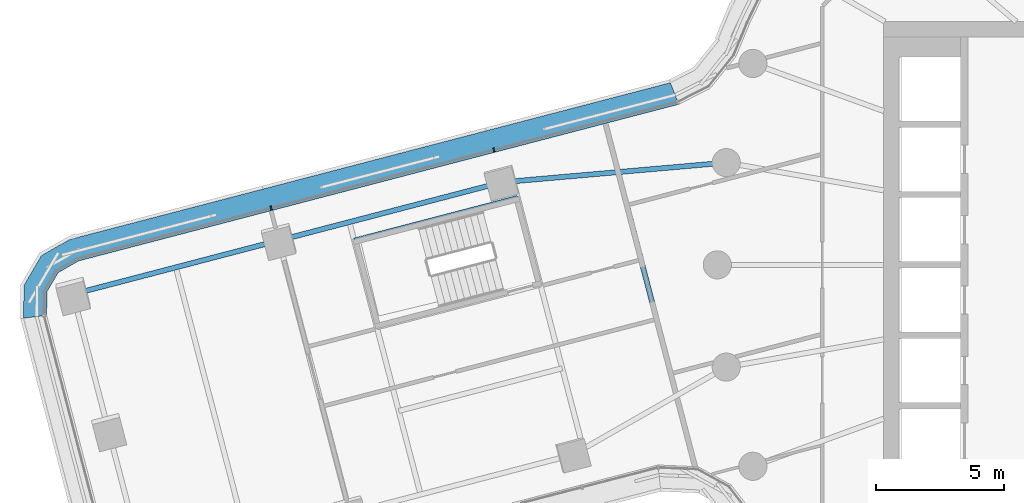
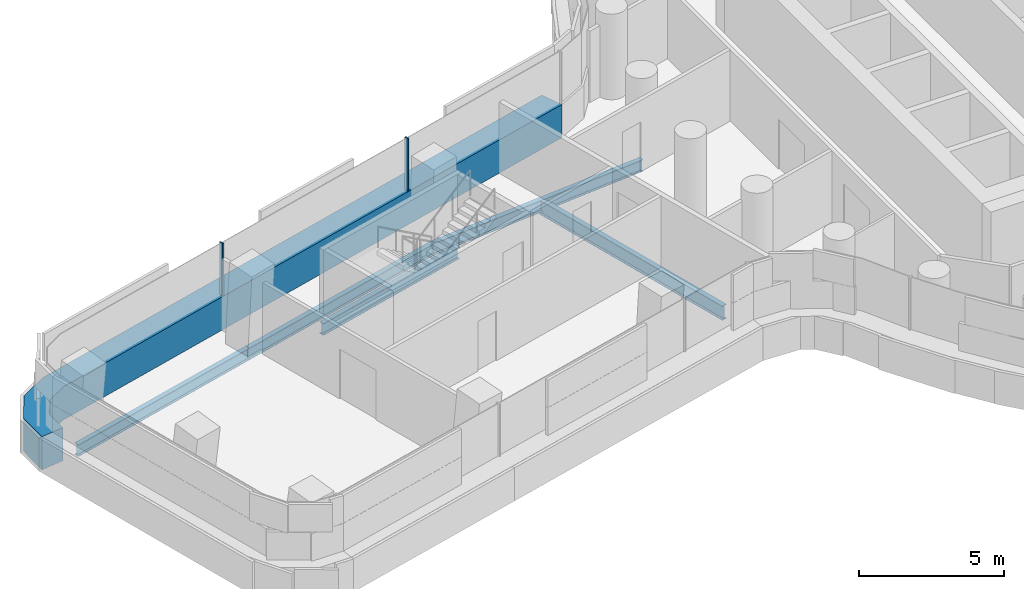
# One storey, part 6 of 30: 5 beams, 3 members, 1 element without a shape of its own.
"""IFC4 building model written with IfcOpenShell, lengths in metres."""

from ifc_helpers import new_model, si_unit, direction, frame, origin, origin_2d, place, context, subcontext, project, spatial, polyline, rectangle, i_section, outline, extrude, material, layer, layer_set, material_profile, profile_set, type_object, element, aggregate, save


model = new_model("IFC4")

# Units and contexts
model_context = context("Model", 3, precision=1e-05, world=origin(), true_north=direction((0.0, 1.0)))
body_context = subcontext(model_context, "Body", "Model", "MODEL_VIEW")
ifc_project = project(units=[si_unit("LENGTHUNIT", "METRE"), si_unit("AREAUNIT", "SQUARE_METRE"), si_unit("VOLUMEUNIT", "CUBIC_METRE"), si_unit("PLANEANGLEUNIT", "RADIAN"), si_unit("MASSUNIT", "GRAM", prefix="KILO")], contexts=[model_context])

# Site, building, storey
site_placement = place(None, origin())
site = spatial("IfcSite", under=ifc_project, at=site_placement, CompositionType="ELEMENT")
building_placement = place(site_placement, origin())
building = spatial("IfcBuilding", under=site, at=building_placement, Name="Tamarind Cross Interchange Tower", CompositionType="ELEMENT")
storey_placement = place(building_placement, frame((0.0, 0.0, 87.25)))
storey = spatial("IfcBuildingStorey", under=building, at=storey_placement, Name="L20", CompositionType="ELEMENT", Elevation=87.25)

# Beams
ifc_material_1 = material(Name="Steel Q355B", Category="steel")
ifc_material_profile_1 = material_profile(ifc_material_1, i_section(OverallWidth=0.198974609375, OverallDepth=0.49609375, WebThickness=0.009033203125, FlangeThickness=0.013916015625, FilletRadius=0.012939453125, at=origin_2d()), Name="HN 496x199x9x14")
ifc_profile_set_1 = profile_set([ifc_material_profile_1], Name="Steel Q355B")
beam_type_1 = type_object("IfcBeamType", Name="Composite beam HN 496x199x9x14 Q355B", PredefinedType="BEAM", material=ifc_profile_set_1)
beam_1_placement = place(storey_placement, frame((-48.169677734375, -1.145751953125, -0.387939453125), z_axis=(0.967592310921, 0.252517563443, 0.0), x_axis=(-0.252517563443, 0.967592310921, 0.0)))
element("IfcBeam", 1, at=beam_1_placement, inside=storey, type_object=beam_type_1, Name="Beam W-edgeem5", PredefinedType="BEAM", context=body_context, shape_type="SweptSolid", body=[
    extrude(i_section(OverallWidth=0.198974609375, OverallDepth=0.49609375, WebThickness=0.009033203125, FlangeThickness=0.013916015625, FilletRadius=0.012939453125, at=origin_2d()), origin(), (0.0, 0.0, 1.0), 8.310791015625),
])
beam_2_placement = place(storey_placement, frame((-40.128173828125, 0.952880859375, -0.387939453125), z_axis=(0.96758384761, 0.252549990783, 0.0), x_axis=(-0.252549990783, 0.96758384761, 0.0)))
element("IfcBeam", 2, at=beam_2_placement, inside=storey, type_object=beam_type_1, Name="Beam W-edgeem6", PredefinedType="BEAM", context=body_context, shape_type="SweptSolid", body=[
    extrude(i_section(OverallWidth=0.198974609375, OverallDepth=0.49609375, WebThickness=0.009033203125, FlangeThickness=0.013916015625, FilletRadius=0.012939453125, at=origin_2d()), origin(), (0.0, 0.0, 1.0), 9.0),
])
beam_3_placement = place(storey_placement, frame((-31.419921875, 3.225830078125, -0.387939453125), z_axis=(0.996186278222, 0.08725192882, 0.0), x_axis=(-0.08725192882, 0.996186278222, 0.0)))
element("IfcBeam", 3, at=beam_3_placement, inside=storey, type_object=beam_type_1, Name="Beam W-linkem", PredefinedType="BEAM", context=body_context, shape_type="SweptSolid", body=[
    extrude(i_section(OverallWidth=0.198974609375, OverallDepth=0.49609375, WebThickness=0.009033203125, FlangeThickness=0.013916015625, FilletRadius=0.012939453125, at=origin_2d()), origin(), (0.0, 0.0, 1.0), 8.802978515625),
])
beam_4_placement = place(storey_placement, frame((-30.795166015625, 2.61376953125, -0.387939453125), z_axis=(-0.967586231521, -0.252540857231, 0.0), x_axis=(0.252540857231, -0.967586231521, 0.0)))
element("IfcBeam", 4, at=beam_4_placement, inside=storey, type_object=beam_type_1, Name="Beam W-tr0", PredefinedType="BEAM", context=body_context, shape_type="SweptSolid", body=[
    extrude(i_section(OverallWidth=0.198974609375, OverallDepth=0.49609375, WebThickness=0.009033203125, FlangeThickness=0.013916015625, FilletRadius=0.012939453125, at=origin_2d()), origin(), (0.0, 0.0, 1.0), 6.599853515625),
])
ifc_material_profile_2 = material_profile(ifc_material_1, i_section(OverallWidth=0.199951171875, OverallDepth=0.60009765625, WebThickness=0.010986328125, FlangeThickness=0.01708984375, FilletRadius=0.012939453125, at=origin_2d()), Name="HN 600x200x11x17")
ifc_profile_set_2 = profile_set([ifc_material_profile_2], Name="Steel Q355B")
beam_type_2 = type_object("IfcBeamType", Name="Composite beam HN 600x200x11x17 Q355B", PredefinedType="BEAM", material=ifc_profile_set_2)
beam_5_placement = place(storey_placement, frame((-26.873046875, 3.6240234375, -0.43994140625), z_axis=(0.252519943433, -0.967591689799, 0.0), x_axis=(0.967591689799, 0.252519943433, 0.0)))
element("IfcBeam", 5, at=beam_5_placement, inside=storey, type_object=beam_type_2, Name="Beam W-x258", PredefinedType="BEAM", context=body_context, shape_type="SweptSolid", body=[
    extrude(i_section(OverallWidth=0.199951171875, OverallDepth=0.60009765625, WebThickness=0.010986328125, FlangeThickness=0.01708984375, FilletRadius=0.012939453125, at=origin_2d()), origin(), (0.0, 0.0, 1.0), 9.021484375),
])

# Curtain wall, members
ifc_material_2 = material(Name="Aluminium 6063-T6", Category="aluminium")
ifc_layer = layer(ifc_material_2, 0.159912109375)
ifc_layer_set = layer_set([ifc_layer], Name="Aluminium 6063-T6")
curtain_wall_type = type_object("IfcCurtainWallType", Name="Office curtain wall, 9.0 m bays", PredefinedType="NOTDEFINED", material=ifc_layer_set)
curtain_wall_placement = place(storey_placement, origin())
curtain_wall = element("IfcCurtainWall", 6, at=curtain_wall_placement, inside=storey, type_object=curtain_wall_type, Name="CWS-L20-03", PredefinedType="NOTDEFINED")
ifc_material_3 = material(Name="Aluminium and insulated spandrel panel", Category="aluminium")
member_type_1 = type_object("IfcMemberType", Name="Floor-edge blade transom", PredefinedType="USERDEFINED", material=ifc_material_3)
member_1_placement = place(storey_placement, origin())
member_1 = element("IfcMember", 7, at=member_1_placement, type_object=member_type_1, Name="CWT-L20-03", ObjectType="TRANSOM", PredefinedType="USERDEFINED", context=body_context, shape_type="SweptSolid", body=[
    extrude(outline(polyline([(-24.509521484375, 6.26953125), (-47.95068359375, 0.151611328125), (-48.74658203125, -0.301025390625), (-49.188720703125, -1.055419921875), (-49.194580078125, -1.970703125), (-50.095458984375, -2.08349609375), (-50.087158203125, -0.808349609375), (-49.401123046875, 0.362060546875), (-48.292724609375, 0.992431640625), (-24.83056640625, 7.11572265625), (-24.509521484375, 6.26953125)])), origin(), (0.0, 0.0, 1.0), 1.39990234375),
])
ifc_material_profile_3 = material_profile(ifc_material_2, rectangle(XDim=0.06005859375, YDim=0.159912109375, at=origin_2d()), Name="Mullion CW1")
ifc_profile_set_3 = profile_set([ifc_material_profile_3], Name="Aluminium 6063-T6")
member_type_2 = type_object("IfcMemberType", Name="Mullion CW1", PredefinedType="MULLION", material=ifc_profile_set_3)
member_2_placement = place(storey_placement, frame((-31.72607421875, 4.489501953125, 1.39990234375), z_axis=(0.0, 0.0, 1.0), x_axis=(-0.967589396666, -0.252528729967, 0.0)))
member_2 = element("IfcMember", 8, at=member_2_placement, type_object=member_type_2, Name="CWM-L20-03-01", PredefinedType="MULLION", context=body_context, shape_type="SweptSolid", body=[
    extrude(rectangle(XDim=0.06005859375, YDim=0.159912109375, at=origin_2d()), origin(), (0.0, 0.0, 1.0), 2.210205078125),
])
member_3_placement = place(storey_placement, frame((-40.4326171875, 2.217041015625, 1.39990234375), z_axis=(0.0, 0.0, 1.0), x_axis=(-0.967589396666, -0.252528729967, 0.0)))
member_3 = element("IfcMember", 9, at=member_3_placement, type_object=member_type_2, Name="CWM-L20-03-02", PredefinedType="MULLION", context=body_context, shape_type="SweptSolid", body=[
    extrude(rectangle(XDim=0.06005859375, YDim=0.159912109375, at=origin_2d()), origin(), (0.0, 0.0, 1.0), 2.210205078125),
])
aggregate(curtain_wall, [member_2, member_3, member_1])

save(model, "model.ifc")
